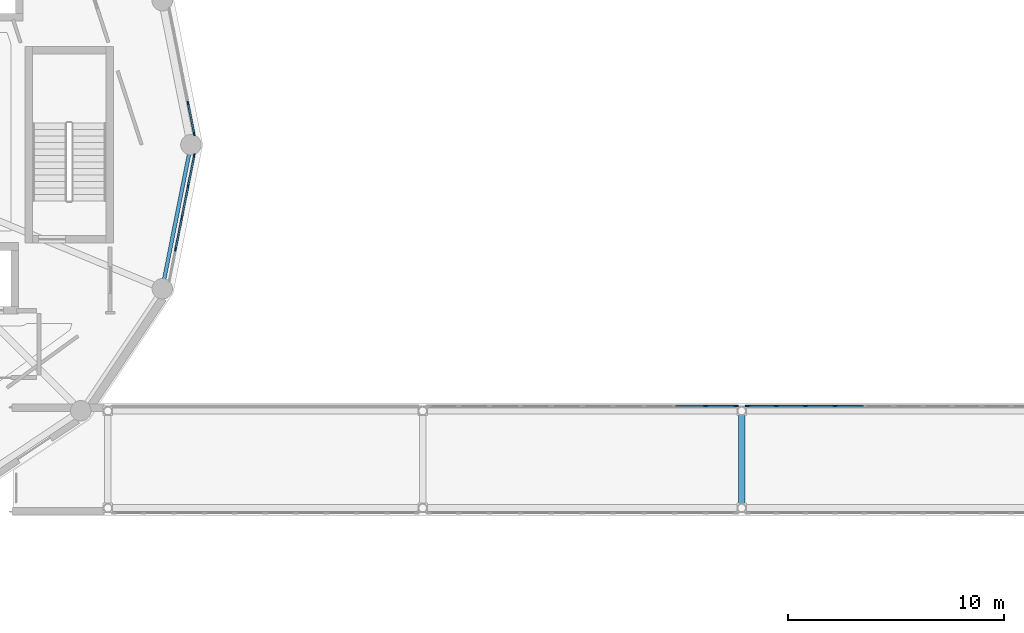
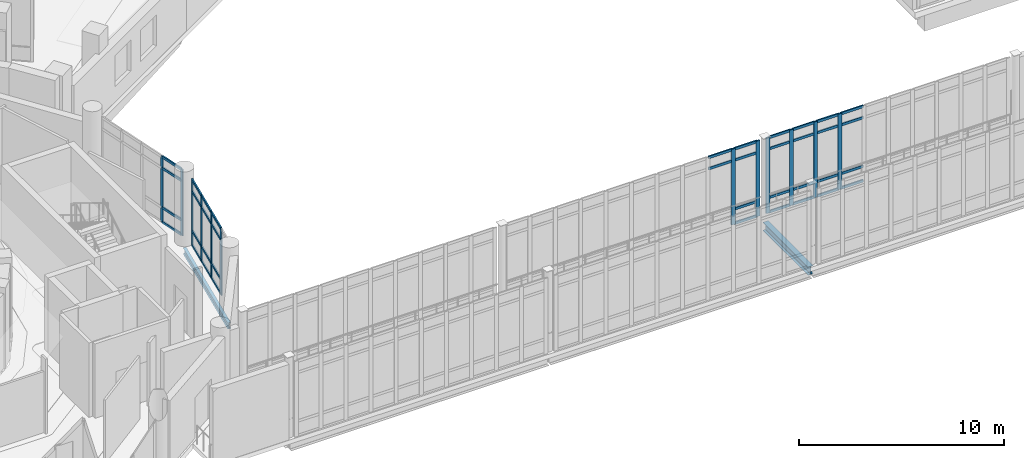
# One storey, part 22 of 89: 50 members, 2 beams, 4 elements without a shape of their own.
"""IFC4 building model written with IfcOpenShell, lengths in metres."""

from ifc_helpers import new_model, si_unit, direction, frame, origin, origin_2d, place, context, subcontext, project, spatial, rectangle, i_section, extrude, material, material_profile, profile_set, type_object, element, aggregate, save


model = new_model("IFC4")

# Units and contexts
model_context = context("Model", 3, precision=1e-05, world=origin(), true_north=direction((0.0, 1.0)))
body_context = subcontext(model_context, "Body", "Model", "MODEL_VIEW")
ifc_project = project(units=[si_unit("LENGTHUNIT", "METRE"), si_unit("AREAUNIT", "SQUARE_METRE"), si_unit("VOLUMEUNIT", "CUBIC_METRE"), si_unit("PLANEANGLEUNIT", "RADIAN"), si_unit("MASSUNIT", "GRAM", prefix="KILO")], contexts=[model_context])

# Site, building, storey
site_placement = place(None, origin())
site = spatial("IfcSite", under=ifc_project, at=site_placement, CompositionType="ELEMENT")
building_placement = place(site_placement, origin())
building = spatial("IfcBuilding", under=site, at=building_placement, Name="Soyqirgoq Riverine Aquarium", CompositionType="ELEMENT")
storey_placement = place(building_placement, frame((0.0, 0.0, 5.39990234375)))
storey = spatial("IfcBuildingStorey", under=building, at=storey_placement, Name="L02", CompositionType="ELEMENT", Elevation=5.39990234375)

# Curtain wall, members
ifc_material_1 = material(Name="Anodised aluminium thermally broken triple low-E glazing", Category="aluminium")
curtain_wall_type_1 = type_object("IfcCurtainWallType", Name="CW_DrumGallery_Unitised", PredefinedType="NOTDEFINED", material=ifc_material_1)
curtain_wall_1_placement = place(storey_placement, origin())
curtain_wall_1 = element("IfcCurtainWall", 1, at=curtain_wall_1_placement, inside=storey, type_object=curtain_wall_type_1, Name="V1 L02 Curtain Wall 002", PredefinedType="NOTDEFINED")
ifc_material_2 = material(Name="Anodised aluminium 6063-T6", Category="aluminium")
ifc_material_profile_1 = material_profile(ifc_material_2, rectangle(XDim=0.06494140625, YDim=0.179931640625, at=origin_2d()), Name="ALU-M 65x180")
ifc_profile_set_1 = profile_set([ifc_material_profile_1], Name="Anodised aluminium 6063-T6")
member_type_1 = type_object("IfcMemberType", Name="CWMullion_65x180", PredefinedType="MULLION", material=ifc_profile_set_1)
member_1_placement = place(storey_placement, frame((73.600341796875, 57.5009765625, 0.0), z_axis=(0.0, 0.0, 1.0), x_axis=(-0.980785709335, -0.195088165618, 0.0)))
member_1 = element("IfcMember", 2, at=member_1_placement, type_object=member_type_1, Name="CW-01 mullion 1", PredefinedType="MULLION", context=body_context, shape_type="SweptSolid", body=[
    extrude(rectangle(XDim=0.06494140625, YDim=0.179931640625, at=origin_2d()), origin(), (0.0, 0.0, 1.0), 3.9501953125),
])
member_2_placement = place(storey_placement, frame((73.31640625, 58.927978515625, 0.0), z_axis=(0.0, 0.0, 1.0), x_axis=(-0.980785709335, -0.195088165618, 0.0)))
member_2 = element("IfcMember", 3, at=member_2_placement, type_object=member_type_1, Name="CW-01 mullion 2", PredefinedType="MULLION", context=body_context, shape_type="SweptSolid", body=[
    extrude(rectangle(XDim=0.06494140625, YDim=0.179931640625, at=origin_2d()), origin(), (0.0, 0.0, 1.0), 3.9501953125),
])

curtain_wall_2_placement = place(storey_placement, origin())
curtain_wall_2 = element("IfcCurtainWall", 4, at=curtain_wall_2_placement, inside=storey, type_object=curtain_wall_type_1, Name="V1 L02 Curtain Wall 073", PredefinedType="NOTDEFINED")
member_3_placement = place(storey_placement, frame((72.736083984375, 52.154541015625, 0.0), z_axis=(0.0, 0.0, 1.0), x_axis=(-0.980785709335, 0.195088165618, 0.0)))
member_3 = element("IfcMember", 5, at=member_3_placement, type_object=member_type_1, Name="CW-01 mullion 2", PredefinedType="MULLION", context=body_context, shape_type="SweptSolid", body=[
    extrude(rectangle(XDim=0.06494140625, YDim=0.179931640625, at=origin_2d()), origin(), (0.0, 0.0, 1.0), 3.9501953125),
])
member_4_placement = place(storey_placement, frame((73.0263671875, 53.61328125, 0.0), z_axis=(0.0, 0.0, 1.0), x_axis=(-0.980785709335, 0.195088165618, 0.0)))
member_4 = element("IfcMember", 6, at=member_4_placement, type_object=member_type_1, Name="CW-01 mullion 3", PredefinedType="MULLION", context=body_context, shape_type="SweptSolid", body=[
    extrude(rectangle(XDim=0.06494140625, YDim=0.179931640625, at=origin_2d()), origin(), (0.0, 0.0, 1.0), 3.9501953125),
])
member_5_placement = place(storey_placement, frame((73.31640625, 55.072021484375, 0.0), z_axis=(0.0, 0.0, 1.0), x_axis=(-0.980785709335, 0.195088165618, 0.0)))
member_5 = element("IfcMember", 7, at=member_5_placement, type_object=member_type_1, Name="CW-01 mullion 4", PredefinedType="MULLION", context=body_context, shape_type="SweptSolid", body=[
    extrude(rectangle(XDim=0.06494140625, YDim=0.179931640625, at=origin_2d()), origin(), (0.0, 0.0, 1.0), 3.9501953125),
])
member_6_placement = place(storey_placement, frame((73.600341796875, 56.4990234375, 0.0), z_axis=(0.0, 0.0, 1.0), x_axis=(-0.980785709335, 0.195088165618, 0.0)))
member_6 = element("IfcMember", 8, at=member_6_placement, type_object=member_type_1, Name="CW-01 mullion 5", PredefinedType="MULLION", context=body_context, shape_type="SweptSolid", body=[
    extrude(rectangle(XDim=0.06494140625, YDim=0.179931640625, at=origin_2d()), origin(), (0.0, 0.0, 1.0), 3.9501953125),
])

ifc_material_3 = material(Name="Laminated solar-control bridge curtain wall", Category="aluminium")
curtain_wall_type_2 = type_object("IfcCurtainWallType", Name="CW_Bridge_Concourse", PredefinedType="NOTDEFINED", material=ifc_material_3)
curtain_wall_3_placement = place(storey_placement, origin())
curtain_wall_3 = element("IfcCurtainWall", 9, at=curtain_wall_3_placement, inside=storey, type_object=curtain_wall_type_2, Name="BR-1 L02 Curtain Wall 139", PredefinedType="NOTDEFINED")
ifc_material_4 = material(Name="Anodised aluminium 6063-T6", Category="aluminium")
ifc_material_profile_2 = material_profile(ifc_material_4, rectangle(XDim=0.080078125, YDim=0.219970703125, at=origin_2d()), Name="ALU-M 80x220")
ifc_profile_set_2 = profile_set([ifc_material_profile_2], Name="Anodised aluminium 6063-T6")
member_type_2 = type_object("IfcMemberType", Name="CWMullion_80x220", PredefinedType="MULLION", material=ifc_profile_set_2)
member_7_placement = place(storey_placement, frame((97.327880859375, 44.8798828125, 0.0), z_axis=(0.0, 0.0, 1.0), x_axis=(0.0, 1.0, 0.0)))
member_7 = element("IfcMember", 10, at=member_7_placement, type_object=member_type_2, Name="CW-06 mullion 10", PredefinedType="MULLION", context=body_context, shape_type="SweptSolid", body=[
    extrude(rectangle(XDim=0.080078125, YDim=0.219970703125, at=origin_2d()), origin(), (0.0, 0.0, 1.0), 4.5),
])
member_8_placement = place(storey_placement, frame((98.719970703125, 44.8798828125, 0.0), z_axis=(0.0, 0.0, 1.0), x_axis=(0.0, 1.0, 0.0)))
member_8 = element("IfcMember", 11, at=member_8_placement, type_object=member_type_2, Name="CW-06 mullion 11", PredefinedType="MULLION", context=body_context, shape_type="SweptSolid", body=[
    extrude(rectangle(XDim=0.080078125, YDim=0.219970703125, at=origin_2d()), origin(), (0.0, 0.0, 1.0), 4.5),
])

curtain_wall_4_placement = place(storey_placement, origin())
curtain_wall_4 = element("IfcCurtainWall", 12, at=curtain_wall_4_placement, inside=storey, type_object=curtain_wall_type_2, Name="BR-1 L02 Curtain Wall 140", PredefinedType="NOTDEFINED")
member_9_placement = place(storey_placement, frame((99.280029296875, 44.8798828125, 0.0), z_axis=(0.0, 0.0, 1.0), x_axis=(0.0, 1.0, 0.0)))
member_9 = element("IfcMember", 13, at=member_9_placement, type_object=member_type_2, Name="CW-06 mullion 1", PredefinedType="MULLION", context=body_context, shape_type="SweptSolid", body=[
    extrude(rectangle(XDim=0.080078125, YDim=0.219970703125, at=origin_2d()), origin(), (0.0, 0.0, 1.0), 4.5),
])
member_10_placement = place(storey_placement, frame((100.60205078125, 44.8798828125, 0.0), z_axis=(0.0, 0.0, 1.0), x_axis=(0.0, 1.0, 0.0)))
member_10 = element("IfcMember", 14, at=member_10_placement, type_object=member_type_2, Name="CW-06 mullion 2", PredefinedType="MULLION", context=body_context, shape_type="SweptSolid", body=[
    extrude(rectangle(XDim=0.080078125, YDim=0.219970703125, at=origin_2d()), origin(), (0.0, 0.0, 1.0), 4.5),
])
member_11_placement = place(storey_placement, frame((101.964111328125, 44.8798828125, 0.0), z_axis=(0.0, 0.0, 1.0), x_axis=(0.0, 1.0, 0.0)))
member_11 = element("IfcMember", 15, at=member_11_placement, type_object=member_type_2, Name="CW-06 mullion 3", PredefinedType="MULLION", context=body_context, shape_type="SweptSolid", body=[
    extrude(rectangle(XDim=0.080078125, YDim=0.219970703125, at=origin_2d()), origin(), (0.0, 0.0, 1.0), 4.5),
])
member_12_placement = place(storey_placement, frame((103.325927734375, 44.8798828125, 0.0), z_axis=(0.0, 0.0, 1.0), x_axis=(0.0, 1.0, 0.0)))
member_12 = element("IfcMember", 16, at=member_12_placement, type_object=member_type_2, Name="CW-06 mullion 4", PredefinedType="MULLION", context=body_context, shape_type="SweptSolid", body=[
    extrude(rectangle(XDim=0.080078125, YDim=0.219970703125, at=origin_2d()), origin(), (0.0, 0.0, 1.0), 4.5),
])

# Member
ifc_material_5 = material(Name="Anodised aluminium 6063-T6", Category="aluminium")
ifc_material_profile_3 = material_profile(ifc_material_5, rectangle(XDim=0.074951171875, YDim=0.14990234375, at=origin_2d()), Name="ALU-T 75x150")
ifc_profile_set_3 = profile_set([ifc_material_profile_3], Name="Anodised aluminium 6063-T6")
member_type_3 = type_object("IfcMemberType", Name="CWTransom_75x150", PredefinedType="USERDEFINED", material=ifc_profile_set_3)
member_13_placement = place(storey_placement, frame((73.593994140625, 57.532958984375, 0.03759765625), z_axis=(-0.195170124847, 0.980769403258, 0.0), x_axis=(-0.980769403258, -0.195170124847, 0.0)))
member_13 = element("IfcMember", 17, at=member_13_placement, type_object=member_type_3, Name="CW-01 transom 1.1", ObjectType="TRANSOM", PredefinedType="USERDEFINED", context=body_context, shape_type="SweptSolid", body=[
    extrude(rectangle(XDim=0.074951171875, YDim=0.14990234375, at=origin_2d()), origin(), (0.0, 0.0, 1.0), 1.3896484375),
])

member_14_placement = place(storey_placement, frame((73.593994140625, 57.532958984375, 0.900146484375), z_axis=(-0.195170124847, 0.980769403258, 0.0), x_axis=(-0.980769403258, -0.195170124847, 0.0)))
member_14 = element("IfcMember", 18, at=member_14_placement, type_object=member_type_3, Name="CW-01 transom 1.2", ObjectType="TRANSOM", PredefinedType="USERDEFINED", context=body_context, shape_type="SweptSolid", body=[
    extrude(rectangle(XDim=0.074951171875, YDim=0.14990234375, at=origin_2d()), origin(), (0.0, 0.0, 1.0), 1.3896484375),
])

member_15_placement = place(storey_placement, frame((73.593994140625, 57.532958984375, 3.25), z_axis=(-0.195170124847, 0.980769403258, 0.0), x_axis=(-0.980769403258, -0.195170124847, 0.0)))
member_15 = element("IfcMember", 19, at=member_15_placement, type_object=member_type_3, Name="CW-01 transom 1.3", ObjectType="TRANSOM", PredefinedType="USERDEFINED", context=body_context, shape_type="SweptSolid", body=[
    extrude(rectangle(XDim=0.074951171875, YDim=0.14990234375, at=origin_2d()), origin(), (0.0, 0.0, 1.0), 1.3896484375),
])

member_16_placement = place(storey_placement, frame((73.593994140625, 57.532958984375, 3.91259765625), z_axis=(-0.195170124847, 0.980769403258, 0.0), x_axis=(-0.980769403258, -0.195170124847, 0.0)))
member_16 = element("IfcMember", 20, at=member_16_placement, type_object=member_type_3, Name="CW-01 transom 1.4", ObjectType="TRANSOM", PredefinedType="USERDEFINED", context=body_context, shape_type="SweptSolid", body=[
    extrude(rectangle(XDim=0.074951171875, YDim=0.14990234375, at=origin_2d()), origin(), (0.0, 0.0, 1.0), 1.3896484375),
])

aggregate(curtain_wall_1, [member_1, member_2, member_13, member_14, member_15, member_16])

member_17_placement = place(storey_placement, frame((72.742431640625, 52.186279296875, 0.03759765625), z_axis=(0.195158798415, 0.980771657116, 0.0), x_axis=(-0.980771657116, 0.195158798415, 0.0)))
member_17 = element("IfcMember", 21, at=member_17_placement, type_object=member_type_3, Name="CW-01 transom 2.1", ObjectType="TRANSOM", PredefinedType="USERDEFINED", context=body_context, shape_type="SweptSolid", body=[
    extrude(rectangle(XDim=0.074951171875, YDim=0.14990234375, at=origin_2d()), origin(), (0.0, 0.0, 1.0), 1.42236328125),
])

member_18_placement = place(storey_placement, frame((72.742431640625, 52.186279296875, 0.900146484375), z_axis=(0.195158798415, 0.980771657116, 0.0), x_axis=(-0.980771657116, 0.195158798415, 0.0)))
member_18 = element("IfcMember", 22, at=member_18_placement, type_object=member_type_3, Name="CW-01 transom 2.2", ObjectType="TRANSOM", PredefinedType="USERDEFINED", context=body_context, shape_type="SweptSolid", body=[
    extrude(rectangle(XDim=0.074951171875, YDim=0.14990234375, at=origin_2d()), origin(), (0.0, 0.0, 1.0), 1.42236328125),
])

member_19_placement = place(storey_placement, frame((72.742431640625, 52.186279296875, 3.25), z_axis=(0.195158798415, 0.980771657116, 0.0), x_axis=(-0.980771657116, 0.195158798415, 0.0)))
member_19 = element("IfcMember", 23, at=member_19_placement, type_object=member_type_3, Name="CW-01 transom 2.3", ObjectType="TRANSOM", PredefinedType="USERDEFINED", context=body_context, shape_type="SweptSolid", body=[
    extrude(rectangle(XDim=0.074951171875, YDim=0.14990234375, at=origin_2d()), origin(), (0.0, 0.0, 1.0), 1.42236328125),
])

member_20_placement = place(storey_placement, frame((72.742431640625, 52.186279296875, 3.91259765625), z_axis=(0.195158798415, 0.980771657116, 0.0), x_axis=(-0.980771657116, 0.195158798415, 0.0)))
member_20 = element("IfcMember", 24, at=member_20_placement, type_object=member_type_3, Name="CW-01 transom 2.4", ObjectType="TRANSOM", PredefinedType="USERDEFINED", context=body_context, shape_type="SweptSolid", body=[
    extrude(rectangle(XDim=0.074951171875, YDim=0.14990234375, at=origin_2d()), origin(), (0.0, 0.0, 1.0), 1.42236328125),
])

member_21_placement = place(storey_placement, frame((73.03271484375, 53.64501953125, 0.03759765625), z_axis=(0.195125950178, 0.980778192848, 0.0), x_axis=(-0.980778192848, 0.195125950178, 0.0)))
member_21 = element("IfcMember", 25, at=member_21_placement, type_object=member_type_3, Name="CW-01 transom 3.1", ObjectType="TRANSOM", PredefinedType="USERDEFINED", context=body_context, shape_type="SweptSolid", body=[
    extrude(rectangle(XDim=0.074951171875, YDim=0.14990234375, at=origin_2d()), origin(), (0.0, 0.0, 1.0), 1.422607421875),
])

member_22_placement = place(storey_placement, frame((73.03271484375, 53.64501953125, 0.900146484375), z_axis=(0.195125950178, 0.980778192848, 0.0), x_axis=(-0.980778192848, 0.195125950178, 0.0)))
member_22 = element("IfcMember", 26, at=member_22_placement, type_object=member_type_3, Name="CW-01 transom 3.2", ObjectType="TRANSOM", PredefinedType="USERDEFINED", context=body_context, shape_type="SweptSolid", body=[
    extrude(rectangle(XDim=0.074951171875, YDim=0.14990234375, at=origin_2d()), origin(), (0.0, 0.0, 1.0), 1.422607421875),
])

member_23_placement = place(storey_placement, frame((73.03271484375, 53.64501953125, 3.25), z_axis=(0.195125950178, 0.980778192848, 0.0), x_axis=(-0.980778192848, 0.195125950178, 0.0)))
member_23 = element("IfcMember", 27, at=member_23_placement, type_object=member_type_3, Name="CW-01 transom 3.3", ObjectType="TRANSOM", PredefinedType="USERDEFINED", context=body_context, shape_type="SweptSolid", body=[
    extrude(rectangle(XDim=0.074951171875, YDim=0.14990234375, at=origin_2d()), origin(), (0.0, 0.0, 1.0), 1.422607421875),
])

member_24_placement = place(storey_placement, frame((73.03271484375, 53.64501953125, 3.91259765625), z_axis=(0.195125950178, 0.980778192848, 0.0), x_axis=(-0.980778192848, 0.195125950178, 0.0)))
member_24 = element("IfcMember", 28, at=member_24_placement, type_object=member_type_3, Name="CW-01 transom 3.4", ObjectType="TRANSOM", PredefinedType="USERDEFINED", context=body_context, shape_type="SweptSolid", body=[
    extrude(rectangle(XDim=0.074951171875, YDim=0.14990234375, at=origin_2d()), origin(), (0.0, 0.0, 1.0), 1.422607421875),
])

member_25_placement = place(storey_placement, frame((73.32275390625, 55.10400390625, 0.03759765625), z_axis=(0.195170124847, 0.980769403258, 0.0), x_axis=(-0.980769403258, 0.195170124847, 0.0)))
member_25 = element("IfcMember", 29, at=member_25_placement, type_object=member_type_3, Name="CW-01 transom 4.1", ObjectType="TRANSOM", PredefinedType="USERDEFINED", context=body_context, shape_type="SweptSolid", body=[
    extrude(rectangle(XDim=0.074951171875, YDim=0.14990234375, at=origin_2d()), origin(), (0.0, 0.0, 1.0), 1.3896484375),
])

member_26_placement = place(storey_placement, frame((73.32275390625, 55.10400390625, 0.900146484375), z_axis=(0.195170124847, 0.980769403258, 0.0), x_axis=(-0.980769403258, 0.195170124847, 0.0)))
member_26 = element("IfcMember", 30, at=member_26_placement, type_object=member_type_3, Name="CW-01 transom 4.2", ObjectType="TRANSOM", PredefinedType="USERDEFINED", context=body_context, shape_type="SweptSolid", body=[
    extrude(rectangle(XDim=0.074951171875, YDim=0.14990234375, at=origin_2d()), origin(), (0.0, 0.0, 1.0), 1.3896484375),
])

member_27_placement = place(storey_placement, frame((73.32275390625, 55.10400390625, 3.25), z_axis=(0.195170124847, 0.980769403258, 0.0), x_axis=(-0.980769403258, 0.195170124847, 0.0)))
member_27 = element("IfcMember", 31, at=member_27_placement, type_object=member_type_3, Name="CW-01 transom 4.3", ObjectType="TRANSOM", PredefinedType="USERDEFINED", context=body_context, shape_type="SweptSolid", body=[
    extrude(rectangle(XDim=0.074951171875, YDim=0.14990234375, at=origin_2d()), origin(), (0.0, 0.0, 1.0), 1.3896484375),
])

member_28_placement = place(storey_placement, frame((73.32275390625, 55.10400390625, 3.91259765625), z_axis=(0.195170124847, 0.980769403258, 0.0), x_axis=(-0.980769403258, 0.195170124847, 0.0)))
member_28 = element("IfcMember", 32, at=member_28_placement, type_object=member_type_3, Name="CW-01 transom 4.4", ObjectType="TRANSOM", PredefinedType="USERDEFINED", context=body_context, shape_type="SweptSolid", body=[
    extrude(rectangle(XDim=0.074951171875, YDim=0.14990234375, at=origin_2d()), origin(), (0.0, 0.0, 1.0), 1.3896484375),
])

aggregate(curtain_wall_2, [member_3, member_4, member_5, member_6, member_17, member_18, member_19, member_20, member_21, member_22, member_23, member_24, member_25, member_26, member_27, member_28])

member_29_placement = place(storey_placement, frame((95.93603515625, 44.8798828125, 3.800048828125), z_axis=(1.0, 0.0, 0.0), x_axis=(0.0, 1.0, 0.0)))
member_29 = element("IfcMember", 33, at=member_29_placement, type_object=member_type_3, Name="CW-06 transom 9.3", ObjectType="TRANSOM", PredefinedType="USERDEFINED", context=body_context, shape_type="SweptSolid", body=[
    extrude(rectangle(XDim=0.074951171875, YDim=0.14990234375, at=origin_2d()), origin(), (0.0, 0.0, 1.0), 1.35205078125),
])

member_30_placement = place(storey_placement, frame((95.93603515625, 44.8798828125, 4.462646484375), z_axis=(1.0, 0.0, 0.0), x_axis=(0.0, 1.0, 0.0)))
member_30 = element("IfcMember", 34, at=member_30_placement, type_object=member_type_3, Name="CW-06 transom 9.4", ObjectType="TRANSOM", PredefinedType="USERDEFINED", context=body_context, shape_type="SweptSolid", body=[
    extrude(rectangle(XDim=0.074951171875, YDim=0.14990234375, at=origin_2d()), origin(), (0.0, 0.0, 1.0), 1.35205078125),
])

member_31_placement = place(storey_placement, frame((97.367919921875, 44.8798828125, 0.03759765625), z_axis=(1.0, 0.0, 0.0), x_axis=(0.0, 1.0, 0.0)))
member_31 = element("IfcMember", 35, at=member_31_placement, type_object=member_type_3, Name="CW-06 transom 10.1", ObjectType="TRANSOM", PredefinedType="USERDEFINED", context=body_context, shape_type="SweptSolid", body=[
    extrude(rectangle(XDim=0.074951171875, YDim=0.14990234375, at=origin_2d()), origin(), (0.0, 0.0, 1.0), 1.31201171875),
])

member_32_placement = place(storey_placement, frame((97.367919921875, 44.8798828125, 0.900146484375), z_axis=(1.0, 0.0, 0.0), x_axis=(0.0, 1.0, 0.0)))
member_32 = element("IfcMember", 36, at=member_32_placement, type_object=member_type_3, Name="CW-06 transom 10.2", ObjectType="TRANSOM", PredefinedType="USERDEFINED", context=body_context, shape_type="SweptSolid", body=[
    extrude(rectangle(XDim=0.074951171875, YDim=0.14990234375, at=origin_2d()), origin(), (0.0, 0.0, 1.0), 1.31201171875),
])

member_33_placement = place(storey_placement, frame((97.367919921875, 44.8798828125, 3.800048828125), z_axis=(1.0, 0.0, 0.0), x_axis=(0.0, 1.0, 0.0)))
member_33 = element("IfcMember", 37, at=member_33_placement, type_object=member_type_3, Name="CW-06 transom 10.3", ObjectType="TRANSOM", PredefinedType="USERDEFINED", context=body_context, shape_type="SweptSolid", body=[
    extrude(rectangle(XDim=0.074951171875, YDim=0.14990234375, at=origin_2d()), origin(), (0.0, 0.0, 1.0), 1.31201171875),
])

member_34_placement = place(storey_placement, frame((97.367919921875, 44.8798828125, 4.462646484375), z_axis=(1.0, 0.0, 0.0), x_axis=(0.0, 1.0, 0.0)))
member_34 = element("IfcMember", 38, at=member_34_placement, type_object=member_type_3, Name="CW-06 transom 10.4", ObjectType="TRANSOM", PredefinedType="USERDEFINED", context=body_context, shape_type="SweptSolid", body=[
    extrude(rectangle(XDim=0.074951171875, YDim=0.14990234375, at=origin_2d()), origin(), (0.0, 0.0, 1.0), 1.31201171875),
])

aggregate(curtain_wall_3, [member_7, member_8, member_29, member_30, member_31, member_32, member_33, member_34])

member_35_placement = place(storey_placement, frame((99.320068359375, 44.8798828125, 0.03759765625), z_axis=(1.0, 0.0, 0.0), x_axis=(0.0, 1.0, 0.0)))
member_35 = element("IfcMember", 39, at=member_35_placement, type_object=member_type_3, Name="CW-06 transom 1.1", ObjectType="TRANSOM", PredefinedType="USERDEFINED", context=body_context, shape_type="SweptSolid", body=[
    extrude(rectangle(XDim=0.074951171875, YDim=0.14990234375, at=origin_2d()), origin(), (0.0, 0.0, 1.0), 1.241943359375),
])

member_36_placement = place(storey_placement, frame((99.320068359375, 44.8798828125, 0.900146484375), z_axis=(1.0, 0.0, 0.0), x_axis=(0.0, 1.0, 0.0)))
member_36 = element("IfcMember", 40, at=member_36_placement, type_object=member_type_3, Name="CW-06 transom 1.2", ObjectType="TRANSOM", PredefinedType="USERDEFINED", context=body_context, shape_type="SweptSolid", body=[
    extrude(rectangle(XDim=0.074951171875, YDim=0.14990234375, at=origin_2d()), origin(), (0.0, 0.0, 1.0), 1.241943359375),
])

member_37_placement = place(storey_placement, frame((99.320068359375, 44.8798828125, 3.800048828125), z_axis=(1.0, 0.0, 0.0), x_axis=(0.0, 1.0, 0.0)))
member_37 = element("IfcMember", 41, at=member_37_placement, type_object=member_type_3, Name="CW-06 transom 1.3", ObjectType="TRANSOM", PredefinedType="USERDEFINED", context=body_context, shape_type="SweptSolid", body=[
    extrude(rectangle(XDim=0.074951171875, YDim=0.14990234375, at=origin_2d()), origin(), (0.0, 0.0, 1.0), 1.241943359375),
])

member_38_placement = place(storey_placement, frame((99.320068359375, 44.8798828125, 4.462646484375), z_axis=(1.0, 0.0, 0.0), x_axis=(0.0, 1.0, 0.0)))
member_38 = element("IfcMember", 42, at=member_38_placement, type_object=member_type_3, Name="CW-06 transom 1.4", ObjectType="TRANSOM", PredefinedType="USERDEFINED", context=body_context, shape_type="SweptSolid", body=[
    extrude(rectangle(XDim=0.074951171875, YDim=0.14990234375, at=origin_2d()), origin(), (0.0, 0.0, 1.0), 1.241943359375),
])

member_39_placement = place(storey_placement, frame((100.64208984375, 44.8798828125, 0.03759765625), z_axis=(1.0, 0.0, 0.0), x_axis=(0.0, 1.0, 0.0)))
member_39 = element("IfcMember", 43, at=member_39_placement, type_object=member_type_3, Name="CW-06 transom 2.1", ObjectType="TRANSOM", PredefinedType="USERDEFINED", context=body_context, shape_type="SweptSolid", body=[
    extrude(rectangle(XDim=0.074951171875, YDim=0.14990234375, at=origin_2d()), origin(), (0.0, 0.0, 1.0), 1.281982421875),
])

member_40_placement = place(storey_placement, frame((100.64208984375, 44.8798828125, 0.900146484375), z_axis=(1.0, 0.0, 0.0), x_axis=(0.0, 1.0, 0.0)))
member_40 = element("IfcMember", 44, at=member_40_placement, type_object=member_type_3, Name="CW-06 transom 2.2", ObjectType="TRANSOM", PredefinedType="USERDEFINED", context=body_context, shape_type="SweptSolid", body=[
    extrude(rectangle(XDim=0.074951171875, YDim=0.14990234375, at=origin_2d()), origin(), (0.0, 0.0, 1.0), 1.281982421875),
])

member_41_placement = place(storey_placement, frame((100.64208984375, 44.8798828125, 3.800048828125), z_axis=(1.0, 0.0, 0.0), x_axis=(0.0, 1.0, 0.0)))
member_41 = element("IfcMember", 45, at=member_41_placement, type_object=member_type_3, Name="CW-06 transom 2.3", ObjectType="TRANSOM", PredefinedType="USERDEFINED", context=body_context, shape_type="SweptSolid", body=[
    extrude(rectangle(XDim=0.074951171875, YDim=0.14990234375, at=origin_2d()), origin(), (0.0, 0.0, 1.0), 1.281982421875),
])

member_42_placement = place(storey_placement, frame((100.64208984375, 44.8798828125, 4.462646484375), z_axis=(1.0, 0.0, 0.0), x_axis=(0.0, 1.0, 0.0)))
member_42 = element("IfcMember", 46, at=member_42_placement, type_object=member_type_3, Name="CW-06 transom 2.4", ObjectType="TRANSOM", PredefinedType="USERDEFINED", context=body_context, shape_type="SweptSolid", body=[
    extrude(rectangle(XDim=0.074951171875, YDim=0.14990234375, at=origin_2d()), origin(), (0.0, 0.0, 1.0), 1.281982421875),
])

member_43_placement = place(storey_placement, frame((102.00390625, 44.8798828125, 0.03759765625), z_axis=(1.0, 0.0, 0.0), x_axis=(0.0, 1.0, 0.0)))
member_43 = element("IfcMember", 47, at=member_43_placement, type_object=member_type_3, Name="CW-06 transom 3.1", ObjectType="TRANSOM", PredefinedType="USERDEFINED", context=body_context, shape_type="SweptSolid", body=[
    extrude(rectangle(XDim=0.074951171875, YDim=0.14990234375, at=origin_2d()), origin(), (0.0, 0.0, 1.0), 1.281982421875),
])

member_44_placement = place(storey_placement, frame((102.00390625, 44.8798828125, 0.900146484375), z_axis=(1.0, 0.0, 0.0), x_axis=(0.0, 1.0, 0.0)))
member_44 = element("IfcMember", 48, at=member_44_placement, type_object=member_type_3, Name="CW-06 transom 3.2", ObjectType="TRANSOM", PredefinedType="USERDEFINED", context=body_context, shape_type="SweptSolid", body=[
    extrude(rectangle(XDim=0.074951171875, YDim=0.14990234375, at=origin_2d()), origin(), (0.0, 0.0, 1.0), 1.281982421875),
])

member_45_placement = place(storey_placement, frame((102.00390625, 44.8798828125, 3.800048828125), z_axis=(1.0, 0.0, 0.0), x_axis=(0.0, 1.0, 0.0)))
member_45 = element("IfcMember", 49, at=member_45_placement, type_object=member_type_3, Name="CW-06 transom 3.3", ObjectType="TRANSOM", PredefinedType="USERDEFINED", context=body_context, shape_type="SweptSolid", body=[
    extrude(rectangle(XDim=0.074951171875, YDim=0.14990234375, at=origin_2d()), origin(), (0.0, 0.0, 1.0), 1.281982421875),
])

member_46_placement = place(storey_placement, frame((102.00390625, 44.8798828125, 4.462646484375), z_axis=(1.0, 0.0, 0.0), x_axis=(0.0, 1.0, 0.0)))
member_46 = element("IfcMember", 50, at=member_46_placement, type_object=member_type_3, Name="CW-06 transom 3.4", ObjectType="TRANSOM", PredefinedType="USERDEFINED", context=body_context, shape_type="SweptSolid", body=[
    extrude(rectangle(XDim=0.074951171875, YDim=0.14990234375, at=origin_2d()), origin(), (0.0, 0.0, 1.0), 1.281982421875),
])

member_47_placement = place(storey_placement, frame((103.365966796875, 44.8798828125, 0.03759765625), z_axis=(1.0, 0.0, 0.0), x_axis=(0.0, 1.0, 0.0)))
member_47 = element("IfcMember", 51, at=member_47_placement, type_object=member_type_3, Name="CW-06 transom 4.1", ObjectType="TRANSOM", PredefinedType="USERDEFINED", context=body_context, shape_type="SweptSolid", body=[
    extrude(rectangle(XDim=0.074951171875, YDim=0.14990234375, at=origin_2d()), origin(), (0.0, 0.0, 1.0), 1.281982421875),
])

member_48_placement = place(storey_placement, frame((103.365966796875, 44.8798828125, 0.900146484375), z_axis=(1.0, 0.0, 0.0), x_axis=(0.0, 1.0, 0.0)))
member_48 = element("IfcMember", 52, at=member_48_placement, type_object=member_type_3, Name="CW-06 transom 4.2", ObjectType="TRANSOM", PredefinedType="USERDEFINED", context=body_context, shape_type="SweptSolid", body=[
    extrude(rectangle(XDim=0.074951171875, YDim=0.14990234375, at=origin_2d()), origin(), (0.0, 0.0, 1.0), 1.281982421875),
])

member_49_placement = place(storey_placement, frame((103.365966796875, 44.8798828125, 3.800048828125), z_axis=(1.0, 0.0, 0.0), x_axis=(0.0, 1.0, 0.0)))
member_49 = element("IfcMember", 53, at=member_49_placement, type_object=member_type_3, Name="CW-06 transom 4.3", ObjectType="TRANSOM", PredefinedType="USERDEFINED", context=body_context, shape_type="SweptSolid", body=[
    extrude(rectangle(XDim=0.074951171875, YDim=0.14990234375, at=origin_2d()), origin(), (0.0, 0.0, 1.0), 1.281982421875),
])

member_50_placement = place(storey_placement, frame((103.365966796875, 44.8798828125, 4.462646484375), z_axis=(1.0, 0.0, 0.0), x_axis=(0.0, 1.0, 0.0)))
member_50 = element("IfcMember", 54, at=member_50_placement, type_object=member_type_3, Name="CW-06 transom 4.4", ObjectType="TRANSOM", PredefinedType="USERDEFINED", context=body_context, shape_type="SweptSolid", body=[
    extrude(rectangle(XDim=0.074951171875, YDim=0.14990234375, at=origin_2d()), origin(), (0.0, 0.0, 1.0), 1.281982421875),
])

aggregate(curtain_wall_4, [member_9, member_10, member_11, member_12, member_35, member_36, member_37, member_38, member_39, member_40, member_41, member_42, member_43, member_44, member_45, member_46, member_47, member_48, member_49, member_50])

# Beams
ifc_material_6 = material(Name="Structural steel S355", Category="steel")
ifc_material_profile_4 = material_profile(ifc_material_6, i_section(OverallWidth=0.169921875, OverallDepth=0.360107421875, WebThickness=0.008056640625, FlangeThickness=0.0126953125, FilletRadius=0.01806640625, at=origin_2d()), Name="IPE 360")
ifc_profile_set_4 = profile_set([ifc_material_profile_4], Name="Structural steel S355")
beam_type_1 = type_object("IfcBeamType", Name="Spandrel_Steel_IPE360", PredefinedType="SPANDREL", material=ifc_profile_set_4)
beam_1_placement = place(storey_placement, frame((72.12548828125, 50.341796875, -0.52978515625), z_axis=(0.195096390568, 0.980784073274, 0.0), x_axis=(-0.980784073274, 0.195096390568, 0.0)))
element("IfcBeam", 55, at=beam_1_placement, inside=storey, type_object=beam_type_1, Name="V1 L02 Drum Spandrel Beam 0059", PredefinedType="SPANDREL", context=body_context, shape_type="SweptSolid", body=[
    extrude(i_section(OverallWidth=0.169921875, OverallDepth=0.360107421875, WebThickness=0.008056640625, FlangeThickness=0.0126953125, FilletRadius=0.01806640625, at=origin_2d()), origin(), (0.0, 0.0, 1.0), 6.768798828125),
])
ifc_material_7 = material(Name="Structural steel S355", Category="steel")
ifc_material_profile_5 = material_profile(ifc_material_7, i_section(OverallWidth=0.300048828125, OverallDepth=0.489990234375, WebThickness=0.011962890625, FlangeThickness=0.02294921875, FilletRadius=0.027099609375, at=origin_2d()), Name="HEA 500")
ifc_profile_set_5 = profile_set([ifc_material_profile_5], Name="Structural steel S355")
beam_type_2 = type_object("IfcBeamType", Name="SteelBeam_HEA500", PredefinedType="BEAM", material=ifc_profile_set_5)
beam_2_placement = place(storey_placement, frame((99.0, 40.199951171875, -0.494873046875), z_axis=(0.0, 1.0, 0.0), x_axis=(-1.0, 0.0, 0.0)))
element("IfcBeam", 56, at=beam_2_placement, inside=storey, type_object=beam_type_2, Name="BR-1 L02 Bridge Cross Transom 1446", PredefinedType="BEAM", context=body_context, shape_type="SweptSolid", body=[
    extrude(i_section(OverallWidth=0.300048828125, OverallDepth=0.489990234375, WebThickness=0.011962890625, FlangeThickness=0.02294921875, FilletRadius=0.027099609375, at=origin_2d()), origin(), (0.0, 0.0, 1.0), 4.400146484375),
])

save(model, "model.ifc")
